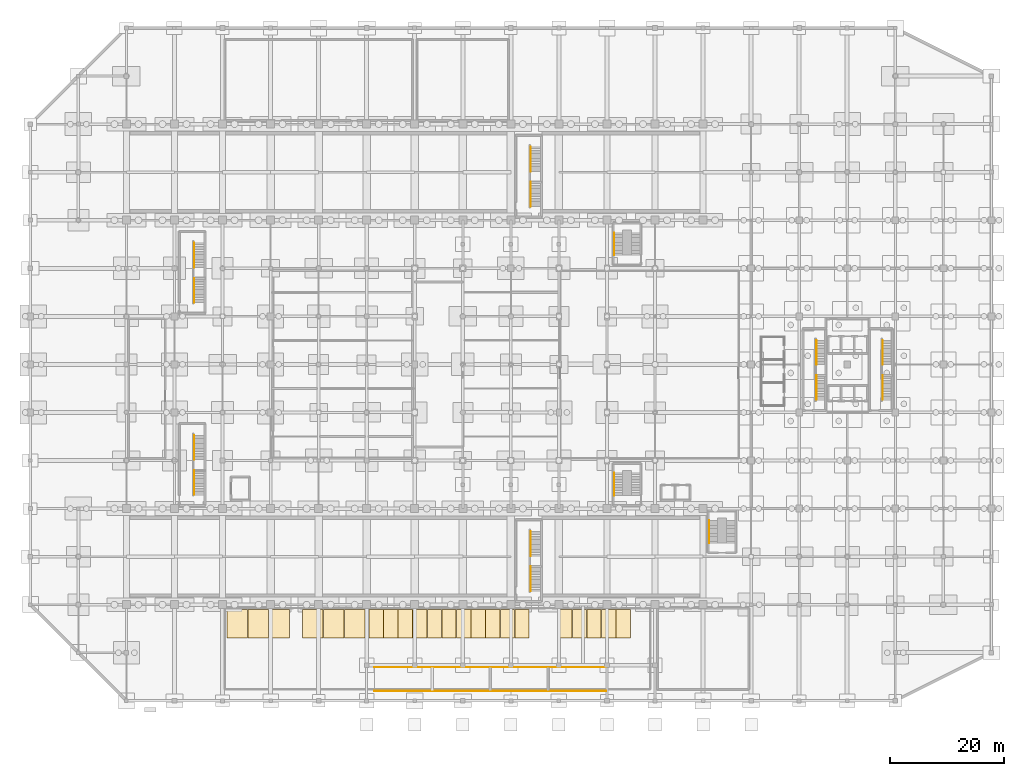
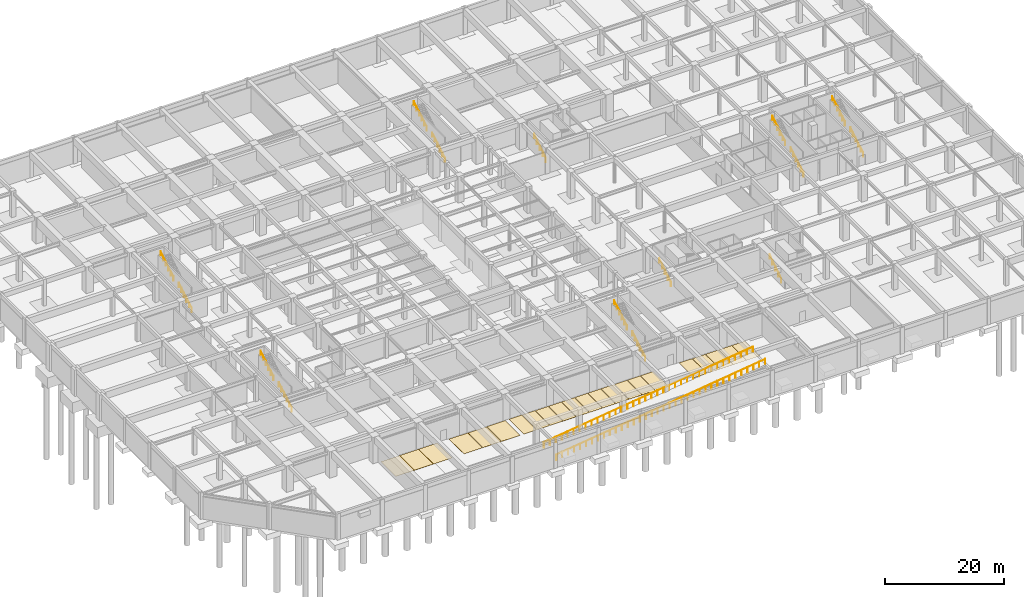
# One storey, part 26 of 26: 22 coverings, 17 railings.
"""IFC4 building model written with IfcOpenShell, lengths in metres."""

from ifc_helpers import new_model, si_unit, direction, frame, origin, origin_2d, place, context, subcontext, project, spatial, polyline, circle, outline, extrude, material, layer, layer_set, type_object, element, save


model = new_model("IFC4")

# Units and contexts
model_context = context("Model", 3, precision=1e-05, world=origin(), true_north=direction((0.0, 1.0)))
body_context = subcontext(model_context, "Body", "Model", "MODEL_VIEW")
ifc_project = project(units=[si_unit("LENGTHUNIT", "METRE"), si_unit("AREAUNIT", "SQUARE_METRE"), si_unit("VOLUMEUNIT", "CUBIC_METRE"), si_unit("PLANEANGLEUNIT", "RADIAN"), si_unit("MASSUNIT", "GRAM", prefix="KILO")], contexts=[model_context])

# Site, building, storey
site_placement = place(None, origin())
site = spatial("IfcSite", under=ifc_project, at=site_placement, CompositionType="ELEMENT")
building_placement = place(site_placement, origin())
building = spatial("IfcBuilding", under=site, at=building_placement, Name="Xuanlan Plaza Opera House", CompositionType="ELEMENT")
storey_placement = place(building_placement, frame((0.0, 0.0, -5.39990234375)))
storey = spatial("IfcBuildingStorey", under=building, at=storey_placement, Name="B01", CompositionType="ELEMENT", Elevation=-5.39990234375)

# Coverings
ifc_material_1 = material(Name="Epoxy Anti-Slip Deck Coating", Category="concrete")
ifc_layer_1 = layer(ifc_material_1, 0.010009765625)
ifc_layer_set_1 = layer_set([ifc_layer_1], Name="Epoxy Anti-Slip Deck Coating")
covering_type_1 = type_object("IfcCoveringType", Name="ENV-COV-PK01", PredefinedType="FLOORING", material=ifc_layer_set_1)
covering_1_placement = place(storey_placement, origin())
element("IfcCovering", 1, at=covering_1_placement, inside=storey, type_object=covering_type_1, Name="Motor Vehicle Parking Bay 01", PredefinedType="FLOORING", context=body_context, shape_type="SweptSolid", body=[
    extrude(outline(polyline([(59.199951171875, 11.0), (61.699951171875, 11.0), (61.699951171875, 16.0), (59.199951171875, 16.0), (59.199951171875, 11.0)])), origin(), (0.0, 0.0, 1.0), 0.010009765625),
])
covering_2_placement = place(storey_placement, origin())
element("IfcCovering", 2, at=covering_2_placement, inside=storey, type_object=covering_type_1, Name="Motor Vehicle Parking Bay 02", PredefinedType="FLOORING", context=body_context, shape_type="SweptSolid", body=[
    extrude(outline(polyline([(61.75, 11.0), (64.25, 11.0), (64.25, 16.0), (61.75, 16.0), (61.75, 11.0)])), origin(), (0.0, 0.0, 1.0), 0.010009765625),
])
covering_3_placement = place(storey_placement, origin())
element("IfcCovering", 3, at=covering_3_placement, inside=storey, type_object=covering_type_1, Name="Motor Vehicle Parking Bay 03", PredefinedType="FLOORING", context=body_context, shape_type="SweptSolid", body=[
    extrude(outline(polyline([(64.300048828125, 11.0), (66.800048828125, 11.0), (66.800048828125, 16.0), (64.300048828125, 16.0), (64.300048828125, 11.0)])), origin(), (0.0, 0.0, 1.0), 0.010009765625),
])
covering_4_placement = place(storey_placement, origin())
element("IfcCovering", 4, at=covering_4_placement, inside=storey, type_object=covering_type_1, Name="Motor Vehicle Parking Bay 04", PredefinedType="FLOORING", context=body_context, shape_type="SweptSolid", body=[
    extrude(outline(polyline([(66.85009765625, 11.0), (69.35009765625, 11.0), (69.35009765625, 16.0), (66.85009765625, 16.0), (66.85009765625, 11.0)])), origin(), (0.0, 0.0, 1.0), 0.010009765625),
])
covering_5_placement = place(storey_placement, origin())
element("IfcCovering", 5, at=covering_5_placement, inside=storey, type_object=covering_type_1, Name="Motor Vehicle Parking Bay 05", PredefinedType="FLOORING", context=body_context, shape_type="SweptSolid", body=[
    extrude(outline(polyline([(69.39990234375, 11.0), (71.89990234375, 11.0), (71.89990234375, 16.0), (69.39990234375, 16.0), (69.39990234375, 11.0)])), origin(), (0.0, 0.0, 1.0), 0.010009765625),
])
covering_6_placement = place(storey_placement, origin())
element("IfcCovering", 6, at=covering_6_placement, inside=storey, type_object=covering_type_1, Name="Motor Vehicle Parking Bay 06", PredefinedType="FLOORING", context=body_context, shape_type="SweptSolid", body=[
    extrude(outline(polyline([(71.949951171875, 11.0), (74.449951171875, 11.0), (74.449951171875, 16.0), (71.949951171875, 16.0), (71.949951171875, 11.0)])), origin(), (0.0, 0.0, 1.0), 0.010009765625),
])
covering_7_placement = place(storey_placement, origin())
element("IfcCovering", 7, at=covering_7_placement, inside=storey, type_object=covering_type_1, Name="Motor Vehicle Parking Bay 07", PredefinedType="FLOORING", context=body_context, shape_type="SweptSolid", body=[
    extrude(outline(polyline([(74.5, 11.0), (77.0, 11.0), (77.0, 16.0), (74.5, 16.0), (74.5, 11.0)])), origin(), (0.0, 0.0, 1.0), 0.010009765625),
])
covering_8_placement = place(storey_placement, origin())
element("IfcCovering", 8, at=covering_8_placement, inside=storey, type_object=covering_type_1, Name="Motor Vehicle Parking Bay 08", PredefinedType="FLOORING", context=body_context, shape_type="SweptSolid", body=[
    extrude(outline(polyline([(77.050048828125, 11.0), (79.550048828125, 11.0), (79.550048828125, 16.0), (77.050048828125, 16.0), (77.050048828125, 11.0)])), origin(), (0.0, 0.0, 1.0), 0.010009765625),
])
covering_9_placement = place(storey_placement, origin())
element("IfcCovering", 9, at=covering_9_placement, inside=storey, type_object=covering_type_1, Name="Motor Vehicle Parking Bay 09", PredefinedType="FLOORING", context=body_context, shape_type="SweptSolid", body=[
    extrude(outline(polyline([(79.60009765625, 11.0), (82.10009765625, 11.0), (82.10009765625, 16.0), (79.60009765625, 16.0), (79.60009765625, 11.0)])), origin(), (0.0, 0.0, 1.0), 0.010009765625),
])
covering_10_placement = place(storey_placement, origin())
element("IfcCovering", 10, at=covering_10_placement, inside=storey, type_object=covering_type_1, Name="Motor Vehicle Parking Bay 10", PredefinedType="FLOORING", context=body_context, shape_type="SweptSolid", body=[
    extrude(outline(polyline([(82.14990234375, 11.0), (84.64990234375, 11.0), (84.64990234375, 16.0), (82.14990234375, 16.0), (82.14990234375, 11.0)])), origin(), (0.0, 0.0, 1.0), 0.010009765625),
])
covering_11_placement = place(storey_placement, origin())
element("IfcCovering", 11, at=covering_11_placement, inside=storey, type_object=covering_type_1, Name="Motor Vehicle Parking Bay 11", PredefinedType="FLOORING", context=body_context, shape_type="SweptSolid", body=[
    extrude(outline(polyline([(84.699951171875, 11.0), (87.199951171875, 11.0), (87.199951171875, 16.0), (84.699951171875, 16.0), (84.699951171875, 11.0)])), origin(), (0.0, 0.0, 1.0), 0.010009765625),
])
covering_12_placement = place(storey_placement, origin())
element("IfcCovering", 12, at=covering_12_placement, inside=storey, type_object=covering_type_1, Name="Motor Vehicle Parking Bay 12", PredefinedType="FLOORING", context=body_context, shape_type="SweptSolid", body=[
    extrude(outline(polyline([(92.199951171875, 11.0), (94.699951171875, 11.0), (94.699951171875, 16.0), (92.199951171875, 16.0), (92.199951171875, 11.0)])), origin(), (0.0, 0.0, 1.0), 0.010009765625),
])
covering_13_placement = place(storey_placement, origin())
element("IfcCovering", 13, at=covering_13_placement, inside=storey, type_object=covering_type_1, Name="Motor Vehicle Parking Bay 13", PredefinedType="FLOORING", context=body_context, shape_type="SweptSolid", body=[
    extrude(outline(polyline([(94.75, 11.0), (97.25, 11.0), (97.25, 16.0), (94.75, 16.0), (94.75, 11.0)])), origin(), (0.0, 0.0, 1.0), 0.010009765625),
])
covering_14_placement = place(storey_placement, origin())
element("IfcCovering", 14, at=covering_14_placement, inside=storey, type_object=covering_type_1, Name="Motor Vehicle Parking Bay 14", PredefinedType="FLOORING", context=body_context, shape_type="SweptSolid", body=[
    extrude(outline(polyline([(97.300048828125, 11.0), (99.800048828125, 11.0), (99.800048828125, 16.0), (97.300048828125, 16.0), (97.300048828125, 11.0)])), origin(), (0.0, 0.0, 1.0), 0.010009765625),
])
covering_15_placement = place(storey_placement, origin())
element("IfcCovering", 15, at=covering_15_placement, inside=storey, type_object=covering_type_1, Name="Motor Vehicle Parking Bay 15", PredefinedType="FLOORING", context=body_context, shape_type="SweptSolid", body=[
    extrude(outline(polyline([(99.85009765625, 11.0), (102.35009765625, 11.0), (102.35009765625, 16.0), (99.85009765625, 16.0), (99.85009765625, 11.0)])), origin(), (0.0, 0.0, 1.0), 0.010009765625),
])
covering_16_placement = place(storey_placement, origin())
element("IfcCovering", 16, at=covering_16_placement, inside=storey, type_object=covering_type_1, Name="Motor Vehicle Parking Bay 16", PredefinedType="FLOORING", context=body_context, shape_type="SweptSolid", body=[
    extrude(outline(polyline([(102.39990234375, 11.0), (104.89990234375, 11.0), (104.89990234375, 16.0), (102.39990234375, 16.0), (102.39990234375, 11.0)])), origin(), (0.0, 0.0, 1.0), 0.010009765625),
])
ifc_layer_2 = layer(ifc_material_1, 0.010009765625)
ifc_layer_set_2 = layer_set([ifc_layer_2], Name="Epoxy Anti-Slip Deck Coating")
covering_type_2 = type_object("IfcCoveringType", Name="ENV-COV-PKA1", PredefinedType="FLOORING", material=ifc_layer_set_2)
covering_17_placement = place(storey_placement, origin())
element("IfcCovering", 17, at=covering_17_placement, inside=storey, type_object=covering_type_2, Name="Accessible Parking Bay 01", PredefinedType="FLOORING", context=body_context, shape_type="SweptSolid", body=[
    extrude(outline(polyline([(34.39990234375, 11.0), (38.0, 11.0), (38.0, 16.0), (34.39990234375, 16.0), (34.39990234375, 11.0)])), origin(), (0.0, 0.0, 1.0), 0.010009765625),
])
covering_18_placement = place(storey_placement, origin())
element("IfcCovering", 18, at=covering_18_placement, inside=storey, type_object=covering_type_2, Name="Accessible Parking Bay 02", PredefinedType="FLOORING", context=body_context, shape_type="SweptSolid", body=[
    extrude(outline(polyline([(38.050048828125, 11.0), (41.64990234375, 11.0), (41.64990234375, 16.0), (38.050048828125, 16.0), (38.050048828125, 11.0)])), origin(), (0.0, 0.0, 1.0), 0.010009765625),
])
covering_19_placement = place(storey_placement, origin())
element("IfcCovering", 19, at=covering_19_placement, inside=storey, type_object=covering_type_2, Name="Accessible Parking Bay 03", PredefinedType="FLOORING", context=body_context, shape_type="SweptSolid", body=[
    extrude(outline(polyline([(41.699951171875, 11.0), (45.300048828125, 11.0), (45.300048828125, 16.0), (41.699951171875, 16.0), (41.699951171875, 11.0)])), origin(), (0.0, 0.0, 1.0), 0.010009765625),
])
covering_20_placement = place(storey_placement, origin())
element("IfcCovering", 20, at=covering_20_placement, inside=storey, type_object=covering_type_2, Name="Accessible Parking Bay 04", PredefinedType="FLOORING", context=body_context, shape_type="SweptSolid", body=[
    extrude(outline(polyline([(47.60009765625, 11.0), (51.199951171875, 11.0), (51.199951171875, 16.0), (47.60009765625, 16.0), (47.60009765625, 11.0)])), origin(), (0.0, 0.0, 1.0), 0.010009765625),
])
covering_21_placement = place(storey_placement, origin())
element("IfcCovering", 21, at=covering_21_placement, inside=storey, type_object=covering_type_2, Name="Accessible Parking Bay 05", PredefinedType="FLOORING", context=body_context, shape_type="SweptSolid", body=[
    extrude(outline(polyline([(51.25, 11.0), (54.85009765625, 11.0), (54.85009765625, 16.0), (51.25, 16.0), (51.25, 11.0)])), origin(), (0.0, 0.0, 1.0), 0.010009765625),
])
covering_22_placement = place(storey_placement, origin())
element("IfcCovering", 22, at=covering_22_placement, inside=storey, type_object=covering_type_2, Name="Accessible Parking Bay 06", PredefinedType="FLOORING", context=body_context, shape_type="SweptSolid", body=[
    extrude(outline(polyline([(54.89990234375, 11.0), (58.5, 11.0), (58.5, 16.0), (54.89990234375, 16.0), (54.89990234375, 11.0)])), origin(), (0.0, 0.0, 1.0), 0.010009765625),
])

# Railings
ifc_material_2 = material(Name="Stainless Steel S30408", Category="steel")
railing_type_1 = type_object("IfcRailingType", Name="ENV-RL-GR02", PredefinedType="GUARDRAIL", material=ifc_material_2)
railing_1_placement = place(storey_placement, frame((60.14990234375, 1.719970703125, 0.0)))
element("IfcRailing", 23, at=railing_1_placement, inside=storey, type_object=railing_type_1, Name="Vehicle Ramp Flight Edge Guardrail S", PredefinedType="GUARDRAIL", context=body_context, shape_type="SweptSolid", body=[
    extrude(circle(Radius=0.02392578125, at=origin_2d()), frame((0.0, 0.0, 1.09619140625), z_axis=(0.991228213795, 0.0, 0.132161371725), x_axis=(0.0, 1.0, 0.0)), (0.0, 0.0, 1.0), 40.8583984375),
    extrude(circle(Radius=0.02099609375, at=origin_2d()), origin(), (0.0, 0.0, 1.0), 1.072021484375),
    extrude(circle(Radius=0.02099609375, at=origin_2d()), frame((1.1572265625, 0.0, 0.154296875)), (0.0, 0.0, 1.0), 1.072021484375),
    extrude(circle(Radius=0.02099609375, at=origin_2d()), frame((2.314208984375, 0.0, 0.30859375)), (0.0, 0.0, 1.0), 1.072021484375),
    extrude(circle(Radius=0.02099609375, at=origin_2d()), frame((3.471435546875, 0.0, 0.462890625)), (0.0, 0.0, 1.0), 1.072021484375),
    extrude(circle(Radius=0.02099609375, at=origin_2d()), frame((4.628662109375, 0.0, 0.6171875)), (0.0, 0.0, 1.0), 1.072021484375),
    extrude(circle(Radius=0.02099609375, at=origin_2d()), frame((5.78564453125, 0.0, 0.771484375)), (0.0, 0.0, 1.0), 1.072021484375),
    extrude(circle(Radius=0.02099609375, at=origin_2d()), frame((6.94287109375, 0.0, 0.92578125)), (0.0, 0.0, 1.0), 1.072021484375),
    extrude(circle(Radius=0.02099609375, at=origin_2d()), frame((8.10009765625, 0.0, 1.080078125)), (0.0, 0.0, 1.0), 1.072021484375),
    extrude(circle(Radius=0.02099609375, at=origin_2d()), frame((9.257080078125, 0.0, 1.234375)), (0.0, 0.0, 1.0), 1.072021484375),
    extrude(circle(Radius=0.02099609375, at=origin_2d()), frame((10.414306640625, 0.0, 1.388427734375)), (0.0, 0.0, 1.0), 1.072021484375),
    extrude(circle(Radius=0.02099609375, at=origin_2d()), frame((11.571533203125, 0.0, 1.542724609375)), (0.0, 0.0, 1.0), 1.072021484375),
    extrude(circle(Radius=0.02099609375, at=origin_2d()), frame((12.728515625, 0.0, 1.697021484375)), (0.0, 0.0, 1.0), 1.072021484375),
    extrude(circle(Radius=0.02099609375, at=origin_2d()), frame((13.8857421875, 0.0, 1.851318359375)), (0.0, 0.0, 1.0), 1.072021484375),
    extrude(circle(Radius=0.02099609375, at=origin_2d()), frame((15.04296875, 0.0, 2.005615234375)), (0.0, 0.0, 1.0), 1.072021484375),
    extrude(circle(Radius=0.02099609375, at=origin_2d()), frame((16.199951171875, 0.0, 2.159912109375)), (0.0, 0.0, 1.0), 1.072021484375),
    extrude(circle(Radius=0.02099609375, at=origin_2d()), frame((17.357177734375, 0.0, 2.314208984375)), (0.0, 0.0, 1.0), 1.072021484375),
    extrude(circle(Radius=0.02099609375, at=origin_2d()), frame((18.514404296875, 0.0, 2.468505859375)), (0.0, 0.0, 1.0), 1.072021484375),
    extrude(circle(Radius=0.02099609375, at=origin_2d()), frame((19.67138671875, 0.0, 2.622802734375)), (0.0, 0.0, 1.0), 1.072021484375),
    extrude(circle(Radius=0.02099609375, at=origin_2d()), frame((20.82861328125, 0.0, 2.777099609375)), (0.0, 0.0, 1.0), 1.072021484375),
    extrude(circle(Radius=0.02099609375, at=origin_2d()), frame((21.985595703125, 0.0, 2.931396484375)), (0.0, 0.0, 1.0), 1.072021484375),
    extrude(circle(Radius=0.02099609375, at=origin_2d()), frame((23.142822265625, 0.0, 3.085693359375)), (0.0, 0.0, 1.0), 1.072021484375),
    extrude(circle(Radius=0.02099609375, at=origin_2d()), frame((24.300048828125, 0.0, 3.239990234375)), (0.0, 0.0, 1.0), 1.072021484375),
    extrude(circle(Radius=0.02099609375, at=origin_2d()), frame((25.45703125, 0.0, 3.394287109375)), (0.0, 0.0, 1.0), 1.072021484375),
    extrude(circle(Radius=0.02099609375, at=origin_2d()), frame((26.6142578125, 0.0, 3.548583984375)), (0.0, 0.0, 1.0), 1.072021484375),
    extrude(circle(Radius=0.02099609375, at=origin_2d()), frame((27.771484375, 0.0, 3.702880859375)), (0.0, 0.0, 1.0), 1.072021484375),
    extrude(circle(Radius=0.02099609375, at=origin_2d()), frame((28.928466796875, 0.0, 3.857177734375)), (0.0, 0.0, 1.0), 1.072021484375),
    extrude(circle(Radius=0.02099609375, at=origin_2d()), frame((30.085693359375, 0.0, 4.011474609375)), (0.0, 0.0, 1.0), 1.072021484375),
    extrude(circle(Radius=0.02099609375, at=origin_2d()), frame((31.242919921875, 0.0, 4.16552734375)), (0.0, 0.0, 1.0), 1.072021484375),
    extrude(circle(Radius=0.02099609375, at=origin_2d()), frame((32.39990234375, 0.0, 4.31982421875)), (0.0, 0.0, 1.0), 1.072021484375),
    extrude(circle(Radius=0.02099609375, at=origin_2d()), frame((33.55712890625, 0.0, 4.47412109375)), (0.0, 0.0, 1.0), 1.072021484375),
    extrude(circle(Radius=0.02099609375, at=origin_2d()), frame((34.71435546875, 0.0, 4.62841796875)), (0.0, 0.0, 1.0), 1.072021484375),
    extrude(circle(Radius=0.02099609375, at=origin_2d()), frame((35.871337890625, 0.0, 4.78271484375)), (0.0, 0.0, 1.0), 1.072021484375),
    extrude(circle(Radius=0.02099609375, at=origin_2d()), frame((37.028564453125, 0.0, 4.93701171875)), (0.0, 0.0, 1.0), 1.072021484375),
    extrude(circle(Radius=0.02099609375, at=origin_2d()), frame((38.185791015625, 0.0, 5.09130859375)), (0.0, 0.0, 1.0), 1.072021484375),
    extrude(circle(Radius=0.02099609375, at=origin_2d()), frame((39.3427734375, 0.0, 5.24560546875)), (0.0, 0.0, 1.0), 1.072021484375),
    extrude(circle(Radius=0.02099609375, at=origin_2d()), frame((40.5, 0.0, 5.39990234375)), (0.0, 0.0, 1.0), 1.072021484375),
])
railing_2_placement = place(storey_placement, frame((60.14990234375, 5.8798828125, 0.0)))
element("IfcRailing", 24, at=railing_2_placement, inside=storey, type_object=railing_type_1, Name="Vehicle Ramp Flight Edge Guardrail N", PredefinedType="GUARDRAIL", context=body_context, shape_type="SweptSolid", body=[
    extrude(circle(Radius=0.02392578125, at=origin_2d()), frame((0.0, 0.0, 1.09619140625), z_axis=(0.991228213795, 0.0, 0.132161371725), x_axis=(0.0, 1.0, 0.0)), (0.0, 0.0, 1.0), 40.8583984375),
    extrude(circle(Radius=0.02099609375, at=origin_2d()), origin(), (0.0, 0.0, 1.0), 1.072021484375),
    extrude(circle(Radius=0.02099609375, at=origin_2d()), frame((1.1572265625, 0.0, 0.154296875)), (0.0, 0.0, 1.0), 1.072021484375),
    extrude(circle(Radius=0.02099609375, at=origin_2d()), frame((2.314208984375, 0.0, 0.30859375)), (0.0, 0.0, 1.0), 1.072021484375),
    extrude(circle(Radius=0.02099609375, at=origin_2d()), frame((3.471435546875, 0.0, 0.462890625)), (0.0, 0.0, 1.0), 1.072021484375),
    extrude(circle(Radius=0.02099609375, at=origin_2d()), frame((4.628662109375, 0.0, 0.6171875)), (0.0, 0.0, 1.0), 1.072021484375),
    extrude(circle(Radius=0.02099609375, at=origin_2d()), frame((5.78564453125, 0.0, 0.771484375)), (0.0, 0.0, 1.0), 1.072021484375),
    extrude(circle(Radius=0.02099609375, at=origin_2d()), frame((6.94287109375, 0.0, 0.92578125)), (0.0, 0.0, 1.0), 1.072021484375),
    extrude(circle(Radius=0.02099609375, at=origin_2d()), frame((8.10009765625, 0.0, 1.080078125)), (0.0, 0.0, 1.0), 1.072021484375),
    extrude(circle(Radius=0.02099609375, at=origin_2d()), frame((9.257080078125, 0.0, 1.234375)), (0.0, 0.0, 1.0), 1.072021484375),
    extrude(circle(Radius=0.02099609375, at=origin_2d()), frame((10.414306640625, 0.0, 1.388427734375)), (0.0, 0.0, 1.0), 1.072021484375),
    extrude(circle(Radius=0.02099609375, at=origin_2d()), frame((11.571533203125, 0.0, 1.542724609375)), (0.0, 0.0, 1.0), 1.072021484375),
    extrude(circle(Radius=0.02099609375, at=origin_2d()), frame((12.728515625, 0.0, 1.697021484375)), (0.0, 0.0, 1.0), 1.072021484375),
    extrude(circle(Radius=0.02099609375, at=origin_2d()), frame((13.8857421875, 0.0, 1.851318359375)), (0.0, 0.0, 1.0), 1.072021484375),
    extrude(circle(Radius=0.02099609375, at=origin_2d()), frame((15.04296875, 0.0, 2.005615234375)), (0.0, 0.0, 1.0), 1.072021484375),
    extrude(circle(Radius=0.02099609375, at=origin_2d()), frame((16.199951171875, 0.0, 2.159912109375)), (0.0, 0.0, 1.0), 1.072021484375),
    extrude(circle(Radius=0.02099609375, at=origin_2d()), frame((17.357177734375, 0.0, 2.314208984375)), (0.0, 0.0, 1.0), 1.072021484375),
    extrude(circle(Radius=0.02099609375, at=origin_2d()), frame((18.514404296875, 0.0, 2.468505859375)), (0.0, 0.0, 1.0), 1.072021484375),
    extrude(circle(Radius=0.02099609375, at=origin_2d()), frame((19.67138671875, 0.0, 2.622802734375)), (0.0, 0.0, 1.0), 1.072021484375),
    extrude(circle(Radius=0.02099609375, at=origin_2d()), frame((20.82861328125, 0.0, 2.777099609375)), (0.0, 0.0, 1.0), 1.072021484375),
    extrude(circle(Radius=0.02099609375, at=origin_2d()), frame((21.985595703125, 0.0, 2.931396484375)), (0.0, 0.0, 1.0), 1.072021484375),
    extrude(circle(Radius=0.02099609375, at=origin_2d()), frame((23.142822265625, 0.0, 3.085693359375)), (0.0, 0.0, 1.0), 1.072021484375),
    extrude(circle(Radius=0.02099609375, at=origin_2d()), frame((24.300048828125, 0.0, 3.239990234375)), (0.0, 0.0, 1.0), 1.072021484375),
    extrude(circle(Radius=0.02099609375, at=origin_2d()), frame((25.45703125, 0.0, 3.394287109375)), (0.0, 0.0, 1.0), 1.072021484375),
    extrude(circle(Radius=0.02099609375, at=origin_2d()), frame((26.6142578125, 0.0, 3.548583984375)), (0.0, 0.0, 1.0), 1.072021484375),
    extrude(circle(Radius=0.02099609375, at=origin_2d()), frame((27.771484375, 0.0, 3.702880859375)), (0.0, 0.0, 1.0), 1.072021484375),
    extrude(circle(Radius=0.02099609375, at=origin_2d()), frame((28.928466796875, 0.0, 3.857177734375)), (0.0, 0.0, 1.0), 1.072021484375),
    extrude(circle(Radius=0.02099609375, at=origin_2d()), frame((30.085693359375, 0.0, 4.011474609375)), (0.0, 0.0, 1.0), 1.072021484375),
    extrude(circle(Radius=0.02099609375, at=origin_2d()), frame((31.242919921875, 0.0, 4.16552734375)), (0.0, 0.0, 1.0), 1.072021484375),
    extrude(circle(Radius=0.02099609375, at=origin_2d()), frame((32.39990234375, 0.0, 4.31982421875)), (0.0, 0.0, 1.0), 1.072021484375),
    extrude(circle(Radius=0.02099609375, at=origin_2d()), frame((33.55712890625, 0.0, 4.47412109375)), (0.0, 0.0, 1.0), 1.072021484375),
    extrude(circle(Radius=0.02099609375, at=origin_2d()), frame((34.71435546875, 0.0, 4.62841796875)), (0.0, 0.0, 1.0), 1.072021484375),
    extrude(circle(Radius=0.02099609375, at=origin_2d()), frame((35.871337890625, 0.0, 4.78271484375)), (0.0, 0.0, 1.0), 1.072021484375),
    extrude(circle(Radius=0.02099609375, at=origin_2d()), frame((37.028564453125, 0.0, 4.93701171875)), (0.0, 0.0, 1.0), 1.072021484375),
    extrude(circle(Radius=0.02099609375, at=origin_2d()), frame((38.185791015625, 0.0, 5.09130859375)), (0.0, 0.0, 1.0), 1.072021484375),
    extrude(circle(Radius=0.02099609375, at=origin_2d()), frame((39.3427734375, 0.0, 5.24560546875)), (0.0, 0.0, 1.0), 1.072021484375),
    extrude(circle(Radius=0.02099609375, at=origin_2d()), frame((40.5, 0.0, 5.39990234375)), (0.0, 0.0, 1.0), 1.072021484375),
])
railing_type_2 = type_object("IfcRailingType", Name="INT-RL-HR01", PredefinedType="HANDRAIL", material=ifc_material_2)
for number, where, name in (
    (25, (137.409912109375, 52.60009765625, 0.168701171875), "Stair Handrail ST-T1 B01 Flight 1"),
    (26, (137.409912109375, 58.72509765625, 2.86865234375), "Stair Handrail ST-T1 B01 Flight 2"),
    (27, (149.010009765625, 52.60009765625, 0.168701171875), "Stair Handrail ST-T2 B01 Flight 1"),
    (28, (149.010009765625, 58.72509765625, 2.86865234375), "Stair Handrail ST-T2 B01 Flight 2"),
    (29, (28.659912109375, 36.0, 0.168701171875), "Stair Handrail ST-P1 B01 Flight 1"),
    (30, (28.659912109375, 42.125, 2.86865234375), "Stair Handrail ST-P1 B01 Flight 2"),
    (31, (28.659912109375, 69.60009765625, 0.168701171875), "Stair Handrail ST-P2 B01 Flight 1"),
    (32, (28.659912109375, 75.72509765625, 2.86865234375), "Stair Handrail ST-P2 B01 Flight 2"),
):
    element("IfcRailing", number, at=place(storey_placement, frame(where)), inside=storey, type_object=railing_type_2, Name=name, PredefinedType="HANDRAIL", context=body_context, shape_type="SweptSolid", body=[
        extrude(circle(Radius=0.02392578125, at=origin_2d()), frame((0.0, 0.0, 0.8759765625), z_axis=(0.0, 0.860470286479, 0.509500624227), x_axis=(-1.0, 0.0, 0.0)), (0.0, 0.0, 1.0), 4.968017578125),
        extrude(circle(Radius=0.02099609375, at=origin_2d()), origin(), (0.0, 0.0, 1.0), 0.851806640625),
        extrude(circle(Radius=0.02099609375, at=origin_2d()), frame((0.0, 0.85498046875, 0.50634765625)), (0.0, 0.0, 1.0), 0.851806640625),
        extrude(circle(Radius=0.02099609375, at=origin_2d()), frame((0.0, 1.7099609375, 1.012451171875)), (0.0, 0.0, 1.0), 0.851806640625),
        extrude(circle(Radius=0.02099609375, at=origin_2d()), frame((0.0, 2.56494140625, 1.518798828125)), (0.0, 0.0, 1.0), 0.851806640625),
        extrude(circle(Radius=0.02099609375, at=origin_2d()), frame((0.0, 3.419921875, 2.02490234375)), (0.0, 0.0, 1.0), 0.851806640625),
        extrude(circle(Radius=0.02099609375, at=origin_2d()), frame((0.0, 4.27490234375, 2.53125)), (0.0, 0.0, 1.0), 0.851806640625),
    ])
for number, where, name in (
    (33, (87.4599609375, 19.199951171875, 0.168701171875), "Stair Handrail ST-P3 B01 Flight 1"),
    (34, (87.4599609375, 25.324951171875, 2.86865234375), "Stair Handrail ST-P3 B01 Flight 2"),
    (35, (87.4599609375, 86.39990234375, 0.168701171875), "Stair Handrail ST-P4 B01 Flight 1"),
    (36, (87.4599609375, 92.52490234375, 2.86865234375), "Stair Handrail ST-P4 B01 Flight 2"),
):
    element("IfcRailing", number, at=place(storey_placement, frame(where)), inside=storey, type_object=railing_type_2, Name=name, PredefinedType="HANDRAIL", context=body_context, shape_type="SweptSolid", body=[
        extrude(circle(Radius=0.02392578125, at=origin_2d()), frame((0.0, 0.0, 0.8759765625), z_axis=(0.0, 0.860483042394, 0.50947908078), x_axis=(-1.0, 0.0, 0.0)), (0.0, 0.0, 1.0), 4.96826171875),
        extrude(circle(Radius=0.02099609375, at=origin_2d()), origin(), (0.0, 0.0, 1.0), 0.851806640625),
        extrude(circle(Radius=0.02099609375, at=origin_2d()), frame((0.0, 0.85498046875, 0.50634765625)), (0.0, 0.0, 1.0), 0.851806640625),
        extrude(circle(Radius=0.02099609375, at=origin_2d()), frame((0.0, 1.7099609375, 1.012451171875)), (0.0, 0.0, 1.0), 0.851806640625),
        extrude(circle(Radius=0.02099609375, at=origin_2d()), frame((0.0, 2.565185546875, 1.518798828125)), (0.0, 0.0, 1.0), 0.851806640625),
        extrude(circle(Radius=0.02099609375, at=origin_2d()), frame((0.0, 3.420166015625, 2.02490234375)), (0.0, 0.0, 1.0), 0.851806640625),
        extrude(circle(Radius=0.02099609375, at=origin_2d()), frame((0.0, 4.275146484375, 2.53125)), (0.0, 0.0, 1.0), 0.851806640625),
    ])
railing_type_3 = type_object("IfcRailingType", Name="INT-RL-HR02", PredefinedType="HANDRAIL", material=ifc_material_2)
for number, where, name in (
    (37, (102.080078125, 35.8798828125, 0.179931640625), "Feature Stair Handrail ST-F1 B01 Flight 1"),
    (38, (102.080078125, 77.8798828125, 0.179931640625), "Feature Stair Handrail ST-F2 B01 Flight 1"),
):
    element("IfcRailing", number, at=place(storey_placement, frame(where)), inside=storey, type_object=railing_type_3, Name=name, PredefinedType="HANDRAIL", context=body_context, shape_type="SweptSolid", body=[
        extrude(circle(Radius=0.02392578125, at=origin_2d()), frame((0.0, 0.0, 0.89599609375), z_axis=(0.0, 0.841186985886, 0.540744352514), x_axis=(-1.0, 0.0, 0.0)), (0.0, 0.0, 1.0), 4.660400390625),
        extrude(circle(Radius=0.02099609375, at=origin_2d()), origin(), (0.0, 0.0, 1.0), 0.871826171875),
        extrude(circle(Radius=0.02099609375, at=origin_2d()), frame((0.0, 0.97998046875, 0.6298828125)), (0.0, 0.0, 1.0), 0.871826171875),
        extrude(circle(Radius=0.02099609375, at=origin_2d()), frame((0.0, 1.9599609375, 1.260009765625)), (0.0, 0.0, 1.0), 0.871826171875),
        extrude(circle(Radius=0.02099609375, at=origin_2d()), frame((0.0, 2.940185546875, 1.89013671875)), (0.0, 0.0, 1.0), 0.871826171875),
        extrude(circle(Radius=0.02099609375, at=origin_2d()), frame((0.0, 3.920166015625, 2.52001953125)), (0.0, 0.0, 1.0), 0.871826171875),
    ])
railing_3_placement = place(storey_placement, frame((118.679931640625, 27.580078125, 0.179931640625)))
element("IfcRailing", 39, at=railing_3_placement, inside=storey, type_object=railing_type_3, Name="Feature Stair Handrail ST-F3 B01 Flight 1", PredefinedType="HANDRAIL", context=body_context, shape_type="SweptSolid", body=[
    extrude(circle(Radius=0.02392578125, at=origin_2d()), frame((0.0, 0.0, 0.89599609375), z_axis=(0.0, 0.841171666519, 0.540768182723), x_axis=(-1.0, 0.0, 0.0)), (0.0, 0.0, 1.0), 4.66015625),
    extrude(circle(Radius=0.02099609375, at=origin_2d()), origin(), (0.0, 0.0, 1.0), 0.871826171875),
    extrude(circle(Radius=0.02099609375, at=origin_2d()), frame((0.0, 0.97998046875, 0.6298828125)), (0.0, 0.0, 1.0), 0.871826171875),
    extrude(circle(Radius=0.02099609375, at=origin_2d()), frame((0.0, 1.9599609375, 1.260009765625)), (0.0, 0.0, 1.0), 0.871826171875),
    extrude(circle(Radius=0.02099609375, at=origin_2d()), frame((0.0, 2.93994140625, 1.89013671875)), (0.0, 0.0, 1.0), 0.871826171875),
    extrude(circle(Radius=0.02099609375, at=origin_2d()), frame((0.0, 3.919921875, 2.52001953125)), (0.0, 0.0, 1.0), 0.871826171875),
])

save(model, "model.ifc")
